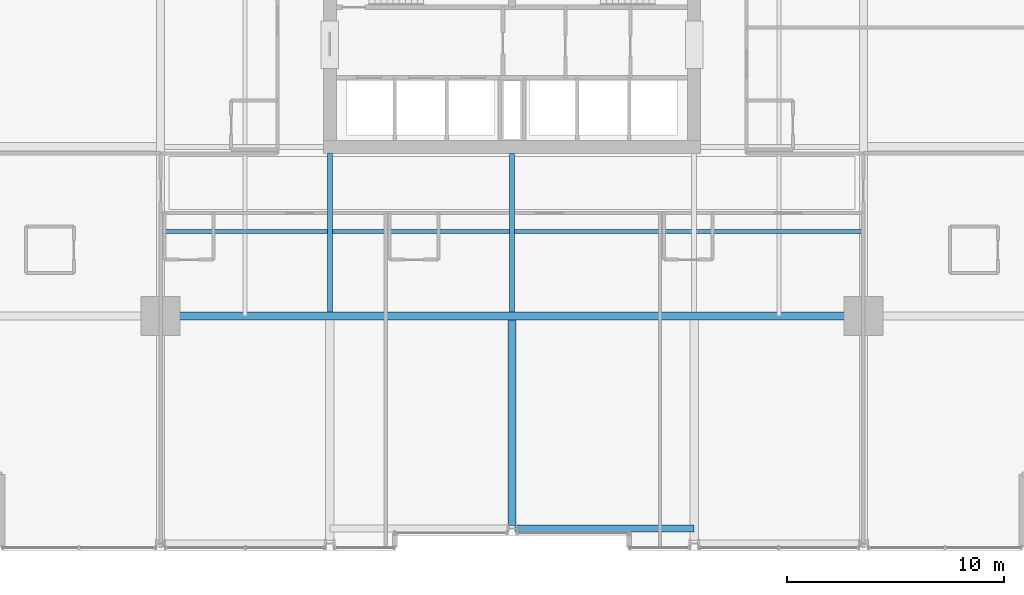
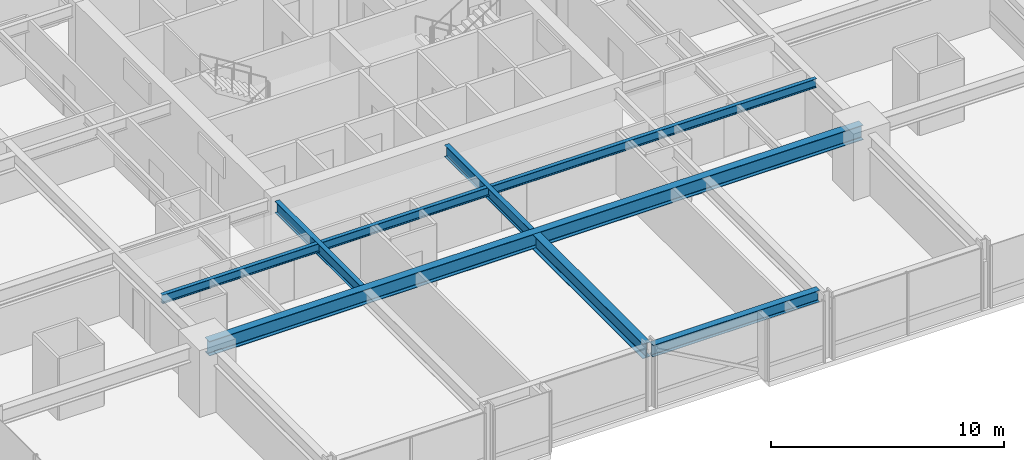
# One storey, part 6 of 38: 6 beams.
"""IFC4 building model written with IfcOpenShell, lengths in metres."""

from ifc_helpers import new_model, si_unit, direction, frame, origin, origin_2d, place, context, subcontext, project, spatial, i_section, extrude, material, material_profile, profile_set, type_object, element, save


model = new_model("IFC4")

# Units and contexts
model_context = context("Model", 3, precision=1e-05, world=origin(), true_north=direction((0.0, 1.0)))
body_context = subcontext(model_context, "Body", "Model", "MODEL_VIEW")
ifc_project = project(units=[si_unit("LENGTHUNIT", "METRE"), si_unit("AREAUNIT", "SQUARE_METRE"), si_unit("VOLUMEUNIT", "CUBIC_METRE"), si_unit("PLANEANGLEUNIT", "RADIAN"), si_unit("MASSUNIT", "GRAM", prefix="KILO")], contexts=[model_context])

# Site, building, storey
site_placement = place(None, origin())
site = spatial("IfcSite", under=ifc_project, at=site_placement, CompositionType="ELEMENT")
building_placement = place(site_placement, origin())
building = spatial("IfcBuilding", under=site, at=building_placement, Name="Drelvath Grand Hotel", CompositionType="ELEMENT")
storey_placement = place(building_placement, frame((0.0, 0.0, 71.699951171875)))
storey = spatial("IfcBuildingStorey", under=building, at=storey_placement, Name="L17", CompositionType="ELEMENT", Elevation=71.699951171875)

# Beams
ifc_material = material(Name="Steel ASTM A992 Gr 50", Category="steel")
ifc_material_profile_1 = material_profile(ifc_material, i_section(OverallWidth=0.19140625, OverallDepth=0.4599609375, WebThickness=0.010009765625, FlangeThickness=0.01611328125, FilletRadius=0.01611328125, at=origin_2d()), Name="W18X55")
ifc_profile_set_1 = profile_set([ifc_material_profile_1], Name="Steel ASTM A992 Gr 50")
beam_type_1 = type_object("IfcBeamType", Name="Composite Floor Joist W18X55", PredefinedType="JOIST", material=ifc_profile_set_1)
beam_1_placement = place(storey_placement, frame((-16.199951171875, 14.699951171875, 3.010009765625), z_axis=(1.0, 0.0, 0.0), x_axis=(0.0, 1.0, 0.0)))
element("IfcBeam", 1, at=beam_1_placement, inside=storey, type_object=beam_type_1, Name="L17 Floor Joist J1", PredefinedType="JOIST", context=body_context, shape_type="SweptSolid", body=[
    extrude(i_section(OverallWidth=0.19140625, OverallDepth=0.4599609375, WebThickness=0.010009765625, FlangeThickness=0.01611328125, FilletRadius=0.01611328125, at=origin_2d()), origin(), (0.0, 0.0, 1.0), 32.39990234375),
])
ifc_material_profile_2 = material_profile(ifc_material, i_section(OverallWidth=0.323974609375, OverallDepth=0.611083984375, WebThickness=0.0126953125, FlangeThickness=0.01904296875, FilletRadius=0.02197265625, at=origin_2d()), Name="W24X104")
ifc_profile_set_2 = profile_set([ifc_material_profile_2], Name="Steel ASTM A992 Gr 50")
beam_type_2 = type_object("IfcBeamType", Name="Perimeter Spandrel Beam W24X104", PredefinedType="SPANDREL", material=ifc_profile_set_2)
beam_2_placement = place(storey_placement, frame((0.139892578125, 1.0, 2.9345703125), z_axis=(1.0, 0.0, 0.0), x_axis=(0.0, 1.0, 0.0)))
element("IfcBeam", 2, at=beam_2_placement, inside=storey, type_object=beam_type_2, Name="L17 Spandrel South Mid E", PredefinedType="SPANDREL", context=body_context, shape_type="SweptSolid", body=[
    extrude(i_section(OverallWidth=0.323974609375, OverallDepth=0.611083984375, WebThickness=0.0126953125, FlangeThickness=0.01904296875, FilletRadius=0.02197265625, at=origin_2d()), origin(), (0.0, 0.0, 1.0), 8.260009765625),
])
ifc_material_profile_3 = material_profile(ifc_material, i_section(OverallWidth=0.228271484375, OverallDepth=0.607666015625, WebThickness=0.01123046875, FlangeThickness=0.017333984375, FilletRadius=0.02001953125, at=origin_2d()), Name="W24X76")
ifc_profile_set_3 = profile_set([ifc_material_profile_3], Name="Steel ASTM A992 Gr 50")
beam_type_3 = type_object("IfcBeamType", Name="Primary Floor Girder W24X76", PredefinedType="BEAM", material=ifc_profile_set_3)
for number, where, z_axis, x_axis, name in (
    (3, (-8.39990234375, 10.990234375, 2.936279296875), (0.0, 1.0, 0.0), (-1.0, 0.0, 0.0), "L17 South Core Tie 4"),
    (4, (0.0, 10.990234375, 2.936279296875), (0.0, 1.0, 0.0), (-1.0, 0.0, 0.0), "L17 South Core Tie 5"),
):
    element("IfcBeam", number, at=place(storey_placement, frame(where, z_axis=z_axis, x_axis=x_axis)), inside=storey, type_object=beam_type_3, Name=name, PredefinedType="BEAM", context=body_context, shape_type="SweptSolid", body=[
        extrude(i_section(OverallWidth=0.228271484375, OverallDepth=0.607666015625, WebThickness=0.01123046875, FlangeThickness=0.017333984375, FilletRadius=0.02001953125, at=origin_2d()), origin(), (0.0, 0.0, 1.0), 7.309814453125),
    ])
ifc_material_profile_4 = material_profile(ifc_material, i_section(OverallWidth=0.380615234375, OverallDepth=0.773193359375, WebThickness=0.0166015625, FlangeThickness=0.027099609375, FilletRadius=0.02490234375, at=origin_2d()), Name="W30X173")
ifc_profile_set_4 = profile_set([ifc_material_profile_4], Name="Steel ASTM A992 Gr 50")
beam_type_4 = type_object("IfcBeamType", Name="Primary Floor Girder W30X173", PredefinedType="BEAM", material=ifc_profile_set_4)
beam_3_placement = place(storey_placement, frame((-16.199951171875, 10.800048828125, 2.853515625), z_axis=(1.0, 0.0, 0.0), x_axis=(0.0, 1.0, 0.0)))
element("IfcBeam", 5, at=beam_3_placement, inside=storey, type_object=beam_type_4, Name="L17 Mega Ring Girder South", PredefinedType="BEAM", context=body_context, shape_type="SweptSolid", body=[
    extrude(i_section(OverallWidth=0.380615234375, OverallDepth=0.773193359375, WebThickness=0.0166015625, FlangeThickness=0.027099609375, FilletRadius=0.02490234375, at=origin_2d()), origin(), (0.0, 0.0, 1.0), 32.39990234375),
])
beam_4_placement = place(storey_placement, frame((0.0, 1.139892578125, 2.853515625), z_axis=(0.0, 1.0, 0.0), x_axis=(-1.0, 0.0, 0.0)))
element("IfcBeam", 6, at=beam_4_placement, inside=storey, type_object=beam_type_4, Name="L17 South Wing Girder 5", PredefinedType="BEAM", context=body_context, shape_type="SweptSolid", body=[
    extrude(i_section(OverallWidth=0.380615234375, OverallDepth=0.773193359375, WebThickness=0.0166015625, FlangeThickness=0.027099609375, FilletRadius=0.02490234375, at=origin_2d()), origin(), (0.0, 0.0, 1.0), 9.4697265625),
])

save(model, "model.ifc")
